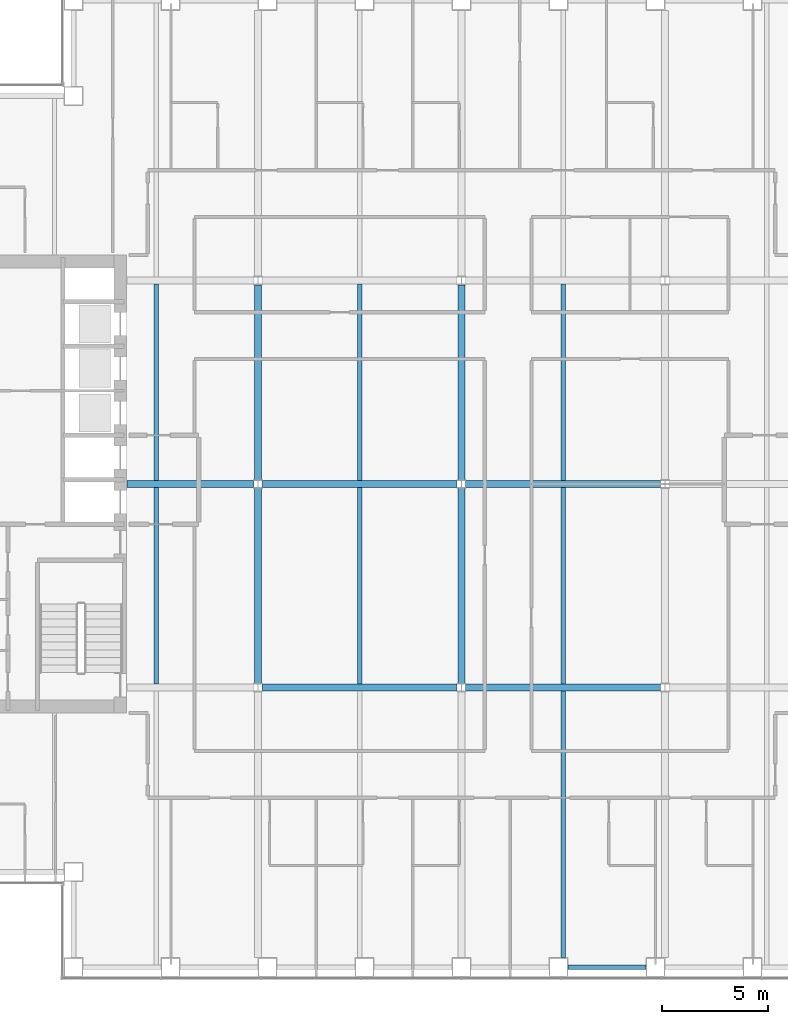
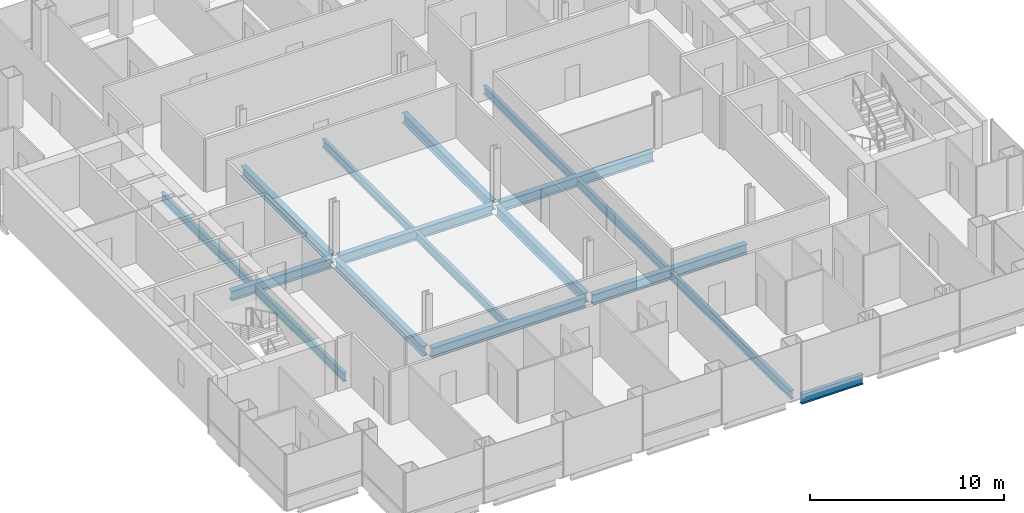
# One storey, part 3 of 16: 17 beams.
"""IFC4 building model written with IfcOpenShell, lengths in metres."""

from ifc_helpers import new_model, si_unit, direction, frame, origin, origin_2d, place, context, subcontext, project, spatial, i_section, extrude, material, material_profile, profile_set, type_object, element, save


model = new_model("IFC4")

# Units and contexts
model_context = context("Model", 3, precision=1e-05, world=origin(), true_north=direction((0.0, 1.0)))
body_context = subcontext(model_context, "Body", "Model", "MODEL_VIEW")
ifc_project = project(units=[si_unit("LENGTHUNIT", "METRE"), si_unit("AREAUNIT", "SQUARE_METRE"), si_unit("VOLUMEUNIT", "CUBIC_METRE"), si_unit("PLANEANGLEUNIT", "RADIAN"), si_unit("MASSUNIT", "GRAM", prefix="KILO")], contexts=[model_context])

# Site, building, storey
site_placement = place(None, origin())
site = spatial("IfcSite", under=ifc_project, at=site_placement, CompositionType="ELEMENT")
building_placement = place(site_placement, origin())
building = spatial("IfcBuilding", under=site, at=building_placement, Name="Cobrizo Arcos Hotel Tower", CompositionType="ELEMENT")
storey_placement = place(building_placement, frame((0.0, 0.0, 92.5)))
storey = spatial("IfcBuildingStorey", under=building, at=storey_placement, Name="L22", CompositionType="ELEMENT", Elevation=92.5)

# Beams
ifc_material = material(Name="Steel ASTM A992 Grade 50", Category="steel")
ifc_material_profile_1 = material_profile(ifc_material, i_section(OverallWidth=0.209228515625, OverallDepth=0.533447265625, WebThickness=0.01025390625, FlangeThickness=0.015625, at=origin_2d()), Name="W21X62")
ifc_profile_set_1 = profile_set([ifc_material_profile_1], Name="Steel ASTM A992 Grade 50")
beam_type_1 = type_object("IfcBeamType", Name="W21X62 joist", PredefinedType="JOIST", material=ifc_profile_set_1)
for number, where, z_axis, x_axis, name in (
    (1, (-14.39990234375, -9.43603515625, -0.416748046875), (0.0, 1.0, 0.0), (-1.0, 0.0, 0.0), "Floor joist J1, L22, no. 004"),
    (2, (-14.39990234375, 0.163818359375, -0.416748046875), (0.0, 1.0, 0.0), (-1.0, 0.0, 0.0), "Floor joist J1, L22, no. 005"),
    (3, (-4.800048828125, -9.43603515625, -0.416748046875), (0.0, 1.0, 0.0), (-1.0, 0.0, 0.0), "Floor joist J1, L22, no. 008"),
    (4, (-4.800048828125, 0.163818359375, -0.416748046875), (0.0, 1.0, 0.0), (-1.0, 0.0, 0.0), "Floor joist J1, L22, no. 009"),
):
    element("IfcBeam", number, at=place(storey_placement, frame(where, z_axis=z_axis, x_axis=x_axis)), inside=storey, type_object=beam_type_1, Name=name, PredefinedType="JOIST", context=body_context, shape_type="SweptSolid", body=[
        extrude(i_section(OverallWidth=0.209228515625, OverallDepth=0.533447265625, WebThickness=0.01025390625, FlangeThickness=0.015625, at=origin_2d()), origin(), (0.0, 0.0, 1.0), 9.272216796875),
    ])
beam_1_placement = place(storey_placement, frame((4.800048828125, -22.35009765625, -0.416748046875), z_axis=(0.0, 1.0, 0.0), x_axis=(-1.0, 0.0, 0.0)))
element("IfcBeam", 5, at=beam_1_placement, inside=storey, type_object=beam_type_1, Name="Floor joist J1, L22, no. 011", PredefinedType="JOIST", context=body_context, shape_type="SweptSolid", body=[
    extrude(i_section(OverallWidth=0.209228515625, OverallDepth=0.533447265625, WebThickness=0.01025390625, FlangeThickness=0.015625, at=origin_2d()), origin(), (0.0, 0.0, 1.0), 12.586181640625),
])
for number, where, z_axis, x_axis, name in (
    (6, (4.800048828125, -9.43603515625, -0.416748046875), (0.0, 1.0, 0.0), (-1.0, 0.0, 0.0), "Floor joist J1, L22, no. 012"),
    (7, (4.800048828125, 0.163818359375, -0.416748046875), (0.0, 1.0, 0.0), (-1.0, 0.0, 0.0), "Floor joist J1, L22, no. 013"),
):
    element("IfcBeam", number, at=place(storey_placement, frame(where, z_axis=z_axis, x_axis=x_axis)), inside=storey, type_object=beam_type_1, Name=name, PredefinedType="JOIST", context=body_context, shape_type="SweptSolid", body=[
        extrude(i_section(OverallWidth=0.209228515625, OverallDepth=0.533447265625, WebThickness=0.01025390625, FlangeThickness=0.015625, at=origin_2d()), origin(), (0.0, 0.0, 1.0), 9.272216796875),
    ])
ifc_material_profile_2 = material_profile(ifc_material, i_section(OverallWidth=0.32763671875, OverallDepth=0.622314453125, WebThickness=0.015380859375, FlangeThickness=0.0244140625, at=origin_2d()), Name="W24X131")
ifc_profile_set_2 = profile_set([ifc_material_profile_2], Name="Steel ASTM A992 Grade 50")
beam_type_2 = type_object("IfcBeamType", Name="W24X131 girder", PredefinedType="BEAM", material=ifc_profile_set_2)
for number, where, z_axis, x_axis, name in (
    (8, (-9.400634765625, -9.60009765625, -0.461181640625), (1.0, 0.0, 0.0), (0.0, 1.0, 0.0), "Floor girder G1, L22, no. 002"),
    (9, (0.199462890625, -9.60009765625, -0.461181640625), (1.0, 0.0, 0.0), (0.0, 1.0, 0.0), "Floor girder G1, L22, no. 003"),
):
    element("IfcBeam", number, at=place(storey_placement, frame(where, z_axis=z_axis, x_axis=x_axis)), inside=storey, type_object=beam_type_2, Name=name, PredefinedType="BEAM", context=body_context, shape_type="SweptSolid", body=[
        extrude(i_section(OverallWidth=0.32763671875, OverallDepth=0.622314453125, WebThickness=0.015380859375, FlangeThickness=0.0244140625, at=origin_2d()), origin(), (0.0, 0.0, 1.0), 9.201171875),
    ])
beam_2_placement = place(storey_placement, frame((-15.7900390625, 0.0, -0.461181640625), z_axis=(1.0, 0.0, 0.0), x_axis=(0.0, 1.0, 0.0)))
element("IfcBeam", 10, at=beam_2_placement, inside=storey, type_object=beam_type_2, Name="Floor girder G1, L22, no. 005", PredefinedType="BEAM", context=body_context, shape_type="SweptSolid", body=[
    extrude(i_section(OverallWidth=0.32763671875, OverallDepth=0.622314453125, WebThickness=0.015380859375, FlangeThickness=0.0244140625, at=origin_2d()), origin(), (0.0, 0.0, 1.0), 5.99072265625),
])
for number, where, z_axis, x_axis, name in (
    (11, (-9.400634765625, 0.0, -0.461181640625), (1.0, 0.0, 0.0), (0.0, 1.0, 0.0), "Floor girder G1, L22, no. 006"),
    (12, (0.199462890625, 0.0, -0.461181640625), (1.0, 0.0, 0.0), (0.0, 1.0, 0.0), "Floor girder G1, L22, no. 007"),
    (13, (-9.60009765625, -9.400634765625, -0.461181640625), (0.0, 1.0, 0.0), (-1.0, 0.0, 0.0), "Floor girder G1, L22, no. 014"),
    (14, (-9.60009765625, 0.199462890625, -0.461181640625), (0.0, 1.0, 0.0), (-1.0, 0.0, 0.0), "Floor girder G1, L22, no. 015"),
    (15, (0.0, -9.400634765625, -0.461181640625), (0.0, 1.0, 0.0), (-1.0, 0.0, 0.0), "Floor girder G1, L22, no. 018"),
    (16, (0.0, 0.199462890625, -0.461181640625), (0.0, 1.0, 0.0), (-1.0, 0.0, 0.0), "Floor girder G1, L22, no. 019"),
):
    element("IfcBeam", number, at=place(storey_placement, frame(where, z_axis=z_axis, x_axis=x_axis)), inside=storey, type_object=beam_type_2, Name=name, PredefinedType="BEAM", context=body_context, shape_type="SweptSolid", body=[
        extrude(i_section(OverallWidth=0.32763671875, OverallDepth=0.622314453125, WebThickness=0.015380859375, FlangeThickness=0.0244140625, at=origin_2d()), origin(), (0.0, 0.0, 1.0), 9.201171875),
    ])
ifc_material_profile_3 = material_profile(ifc_material, i_section(OverallWidth=0.23046875, OverallDepth=0.6171875, WebThickness=0.01318359375, FlangeThickness=0.022216796875, at=origin_2d()), Name="W24X94")
ifc_profile_set_3 = profile_set([ifc_material_profile_3], Name="Steel ASTM A992 Grade 50")
beam_type_3 = type_object("IfcBeamType", Name="W24X94 spandrel", PredefinedType="SPANDREL", material=ifc_profile_set_3)
beam_3_placement = place(storey_placement, frame((5.02490234375, -22.800048828125, -0.45849609375), z_axis=(1.0, 0.0, 0.0), x_axis=(0.0, 1.0, 0.0)))
element("IfcBeam", 17, at=beam_3_placement, inside=storey, type_object=beam_type_3, Name="Spandrel beam W24X94, L22, no. 006", PredefinedType="SPANDREL", context=body_context, shape_type="SweptSolid", body=[
    extrude(i_section(OverallWidth=0.23046875, OverallDepth=0.6171875, WebThickness=0.01318359375, FlangeThickness=0.022216796875, at=origin_2d()), origin(), (0.0, 0.0, 1.0), 3.675048828125),
])

save(model, "model.ifc")
